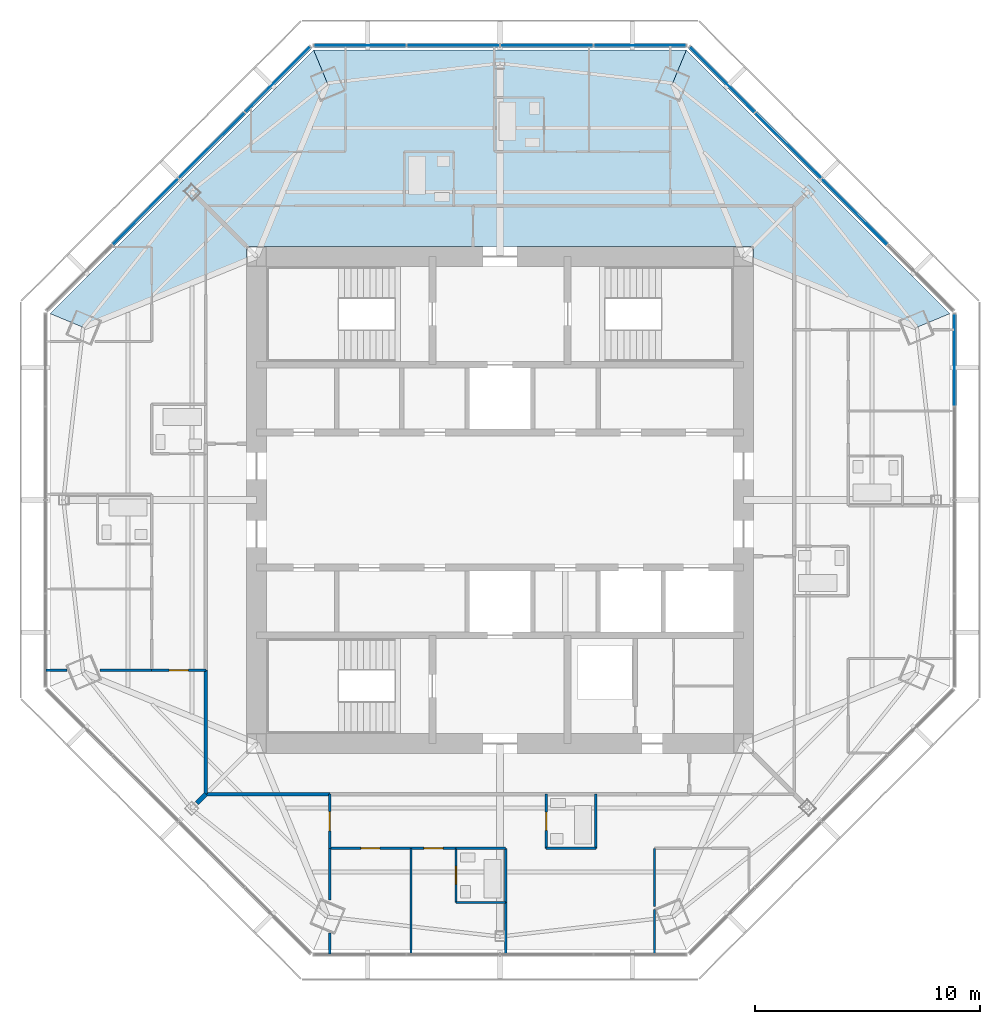
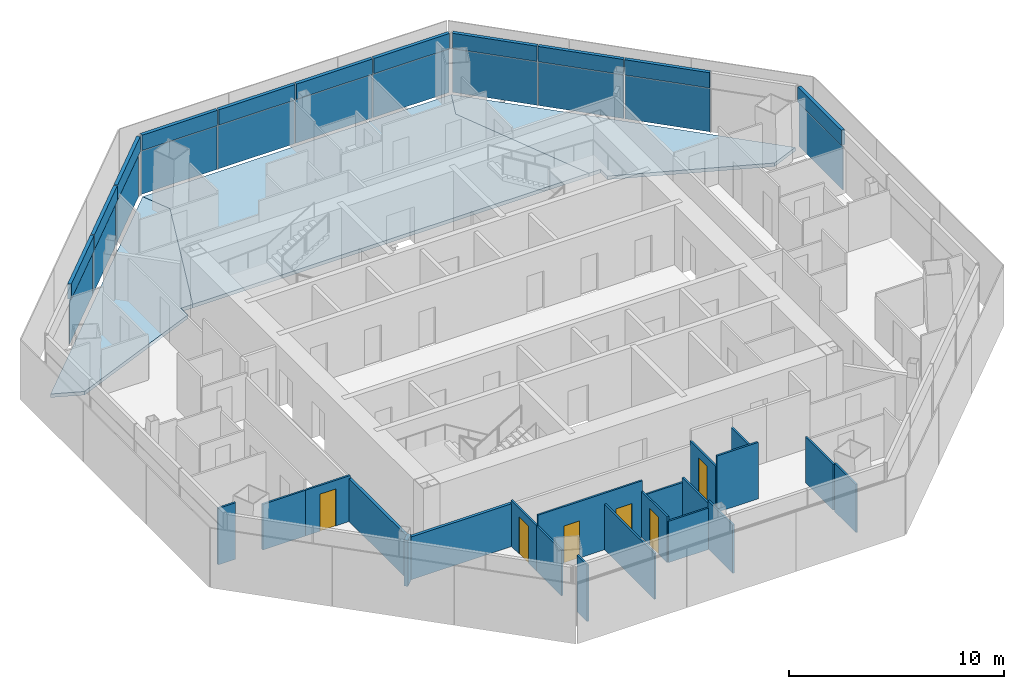
# One storey, part 9 of 15: 22 plates, 21 walls, 6 doors, 3 slabs, 6 openings, 4 elements without a shape of their own.
"""IFC4 building model written with IfcOpenShell, lengths in metres."""

from ifc_helpers import new_model, si_unit, direction, frame, frame_2d, origin, origin_2d, place, context, subcontext, project, spatial, polyline, rectangle, outline, extrude, source, transform, mapped, material, layer, layer_set, type_object, type_shapes, element, fill, aggregate, save


model = new_model("IFC4")

# Units and contexts
model_context = context("Model", 3, precision=1e-05, world=origin(), true_north=direction((0.0, 1.0)))
body_context = subcontext(model_context, "Body", "Model", "MODEL_VIEW")
ifc_project = project(units=[si_unit("LENGTHUNIT", "METRE"), si_unit("AREAUNIT", "SQUARE_METRE"), si_unit("VOLUMEUNIT", "CUBIC_METRE"), si_unit("PLANEANGLEUNIT", "RADIAN"), si_unit("MASSUNIT", "GRAM", prefix="KILO")], contexts=[model_context])

# Site, building, storey
site_placement = place(None, origin())
site = spatial("IfcSite", under=ifc_project, at=site_placement, CompositionType="ELEMENT")
building_placement = place(site_placement, origin())
building = spatial("IfcBuilding", under=site, at=building_placement, Name="Mashrafa Tower", CompositionType="ELEMENT")
storey_placement = place(building_placement, frame((0.0, 0.0, 277.60009765625)))
storey = spatial("IfcBuildingStorey", under=building, at=storey_placement, Name="L67", CompositionType="ELEMENT", Elevation=277.60009765625)

# Slabs
ifc_material_1 = material(Name="Concrete C35/45", Category="concrete")
ifc_layer_1 = layer(ifc_material_1, 0.199951171875)
ifc_layer_set_1 = layer_set([ifc_layer_1], Name="Floor slab 200")
slab_type = type_object("IfcSlabType", Name="Floor slab 200", PredefinedType="FLOOR", material=ifc_layer_set_1)
slab_1_placement = place(storey_placement, frame((0.0, 0.0, -0.2001953125)))
element("IfcSlab", 1, at=slab_1_placement, inside=storey, type_object=slab_type, Name="Floor slab L67 north-east bay", PredefinedType="FLOOR", context=body_context, shape_type="SweptSolid", body=[
    extrude(outline(polyline([(8.2685546875, 19.9619140625), (19.9619140625, 8.2685546875), (19.9619140625, 8.268310546875), (18.4892578125, 7.658447265625), (11.25, 10.6162109375), (11.25, 11.25), (10.6162109375, 11.25), (7.658447265625, 18.4892578125), (8.268310546875, 19.9619140625), (8.2685546875, 19.9619140625)])), origin(), (0.0, 0.0, 1.0), 0.2001953125),
])
slab_2_placement = place(storey_placement, frame((0.0, 0.0, -0.2001953125)))
element("IfcSlab", 2, at=slab_2_placement, inside=storey, type_object=slab_type, Name="Floor slab L67 north bay", PredefinedType="FLOOR", context=body_context, shape_type="SweptSolid", body=[
    extrude(outline(polyline([(8.268310546875, 19.9619140625), (7.658447265625, 18.4892578125), (10.6162109375, 11.25), (-10.6162109375, 11.25), (-7.658447265625, 18.4892578125), (-8.268310546875, 19.9619140625), (8.268310546875, 19.9619140625)])), origin(), (0.0, 0.0, 1.0), 0.2001953125),
])
slab_3_placement = place(storey_placement, frame((0.0, 0.0, -0.2001953125)))
element("IfcSlab", 3, at=slab_3_placement, inside=storey, type_object=slab_type, Name="Floor slab L67 north-west bay", PredefinedType="FLOOR", context=body_context, shape_type="SweptSolid", body=[
    extrude(outline(polyline([(-19.9619140625, 8.2685546875), (-8.2685546875, 19.9619140625), (-8.268310546875, 19.9619140625), (-7.658447265625, 18.4892578125), (-10.6162109375, 11.25), (-11.25, 11.25), (-11.25, 10.6162109375), (-18.4892578125, 7.658447265625), (-19.9619140625, 8.268310546875), (-19.9619140625, 8.2685546875)])), origin(), (0.0, 0.0, 1.0), 0.2001953125),
])

# Curtain wall, plate
ifc_material_2 = material(Name="Unitised aluminium curtain wall", Category="aluminium")
curtain_wall_type = type_object("IfcCurtainWallType", Name="Apartment curtain wall, zone 4 CW-D 160 deep", PredefinedType="NOTDEFINED", material=ifc_material_2)
curtain_wall_1_placement = place(storey_placement, origin())
curtain_wall_1 = element("IfcCurtainWall", 4, at=curtain_wall_1_placement, inside=storey, type_object=curtain_wall_type, Name="Apartment curtain wall, zone 4 L67 east", PredefinedType="NOTDEFINED")
ifc_material_3 = material(Name="Insulated double glazing, acoustic", Category="glass")
ifc_layer_2 = layer(ifc_material_3, 0.028076171875)
ifc_layer_set_2 = layer_set([ifc_layer_2], Name="Vision panel CW-D 28")
plate_type_1 = type_object("IfcPlateType", Name="Vision panel CW-D 28", PredefinedType="CURTAIN_PANEL", material=ifc_layer_set_2)
shared_shape_1 = source(origin(), body_context, "Body", "SweptSolid", [
    extrude(rectangle(XDim=4.06396484375, YDim=0.028076171875, at=origin_2d()), origin(), (0.0, 0.0, 1.0), 2.46240234375),
])
plate_1_placement = place(storey_placement, frame((20.161865234375, 6.216064453125, 0.0), z_axis=(0.0, 0.0, 1.0), x_axis=(0.0, 1.0, 0.0)))
plate_1 = element("IfcPlate", 5, at=plate_1_placement, type_object=plate_type_1, Name="CW-D vision panel 4", PredefinedType="CURTAIN_PANEL", context=body_context, shape_type="MappedRepresentation", body=[
    mapped(shared_shape_1, transform((0.0, 0.0, 0.0))),
])

curtain_wall_2_placement = place(storey_placement, origin())
curtain_wall_2 = element("IfcCurtainWall", 6, at=curtain_wall_2_placement, inside=storey, type_object=curtain_wall_type, Name="Apartment curtain wall, zone 4 L67 north-east", PredefinedType="NOTDEFINED")
plate_2_placement = place(storey_placement, frame((9.861083984375, 18.652099609375, 0.0), z_axis=(0.0, 0.0, 1.0), x_axis=(-0.707106781187, 0.707106781187, 0.0)))
plate_2 = element("IfcPlate", 7, at=plate_2_placement, type_object=plate_type_1, Name="CW-D vision panel 4", PredefinedType="CURTAIN_PANEL", context=body_context, shape_type="MappedRepresentation", body=[
    mapped(shared_shape_1, transform((0.0, 0.0, 0.0))),
])

# Curtain wall, plates
curtain_wall_3_placement = place(storey_placement, origin())
curtain_wall_3 = element("IfcCurtainWall", 8, at=curtain_wall_3_placement, inside=storey, type_object=curtain_wall_type, Name="Apartment curtain wall, zone 4 L67 north", PredefinedType="NOTDEFINED")
plate_3_placement = place(storey_placement, frame((6.216064453125, 20.161865234375, 0.0), z_axis=(0.0, 0.0, 1.0), x_axis=(-1.0, 0.0, 0.0)))
plate_3 = element("IfcPlate", 9, at=plate_3_placement, type_object=plate_type_1, Name="CW-D vision panel 1", PredefinedType="CURTAIN_PANEL", context=body_context, shape_type="MappedRepresentation", body=[
    mapped(shared_shape_1, transform((0.0, 0.0, 0.0))),
])
plate_4_placement = place(storey_placement, frame((-6.216064453125, 20.161865234375, 0.0), z_axis=(0.0, 0.0, 1.0), x_axis=(-1.0, 0.0, 0.0)))
plate_4 = element("IfcPlate", 10, at=plate_4_placement, type_object=plate_type_1, Name="CW-D vision panel 4", PredefinedType="CURTAIN_PANEL", context=body_context, shape_type="MappedRepresentation", body=[
    mapped(shared_shape_1, transform((0.0, 0.0, 0.0))),
])

# Curtain wall, plate
curtain_wall_4_placement = place(storey_placement, origin())
curtain_wall_4 = element("IfcCurtainWall", 11, at=curtain_wall_4_placement, inside=storey, type_object=curtain_wall_type, Name="Apartment curtain wall, zone 4 L67 north-west", PredefinedType="NOTDEFINED")
plate_5_placement = place(storey_placement, frame((-9.861083984375, 18.652099609375, 0.0), z_axis=(0.0, 0.0, 1.0), x_axis=(-0.707106781187, -0.707106781187, 0.0)))
plate_5 = element("IfcPlate", 12, at=plate_5_placement, type_object=plate_type_1, Name="CW-D vision panel 1", PredefinedType="CURTAIN_PANEL", context=body_context, shape_type="MappedRepresentation", body=[
    mapped(shared_shape_1, transform((0.0, 0.0, 0.0))),
])

# Plate
ifc_material_4 = material(Name="Insulated bronze aluminium spandrel panel", Category="aluminium")
ifc_layer_3 = layer(ifc_material_4, 0.179931640625)
ifc_layer_set_3 = layer_set([ifc_layer_3], Name="Spandrel panel CW-D 180")
plate_type_2 = type_object("IfcPlateType", Name="Spandrel panel CW-D 180", PredefinedType="CURTAIN_PANEL", material=ifc_layer_set_3)
shared_shape_2 = source(origin(), body_context, "Body", "SweptSolid", [
    extrude(rectangle(XDim=4.06396484375, YDim=0.179931640625, at=origin_2d()), origin(), (0.0, 0.0, 1.0), 0.862548828125),
])
plate_6_placement = place(storey_placement, frame((20.161865234375, 6.216064453125, 2.53759765625), z_axis=(0.0, 0.0, 1.0), x_axis=(0.0, 1.0, 0.0)))
plate_6 = element("IfcPlate", 13, at=plate_6_placement, type_object=plate_type_2, Name="CW-D spandrel panel 4", PredefinedType="CURTAIN_PANEL", context=body_context, shape_type="MappedRepresentation", body=[
    mapped(shared_shape_2, transform((0.0, 0.0, 0.0))),
])

aggregate(curtain_wall_1, [plate_1, plate_6])

plate_7_placement = place(storey_placement, frame((9.861083984375, 18.652099609375, 2.53759765625), z_axis=(0.0, 0.0, 1.0), x_axis=(-0.707106781187, 0.707106781187, 0.0)))
plate_7 = element("IfcPlate", 14, at=plate_7_placement, type_object=plate_type_2, Name="CW-D spandrel panel 4", PredefinedType="CURTAIN_PANEL", context=body_context, shape_type="MappedRepresentation", body=[
    mapped(shared_shape_2, transform((0.0, 0.0, 0.0))),
])

plate_8_placement = place(storey_placement, frame((6.216064453125, 20.161865234375, 2.53759765625), z_axis=(0.0, 0.0, 1.0), x_axis=(-1.0, 0.0, 0.0)))
plate_8 = element("IfcPlate", 15, at=plate_8_placement, type_object=plate_type_2, Name="CW-D spandrel panel 1", PredefinedType="CURTAIN_PANEL", context=body_context, shape_type="MappedRepresentation", body=[
    mapped(shared_shape_2, transform((0.0, 0.0, 0.0))),
])

plate_9_placement = place(storey_placement, frame((-6.216064453125, 20.161865234375, 2.53759765625), z_axis=(0.0, 0.0, 1.0), x_axis=(-1.0, 0.0, 0.0)))
plate_9 = element("IfcPlate", 16, at=plate_9_placement, type_object=plate_type_2, Name="CW-D spandrel panel 4", PredefinedType="CURTAIN_PANEL", context=body_context, shape_type="MappedRepresentation", body=[
    mapped(shared_shape_2, transform((0.0, 0.0, 0.0))),
])

plate_10_placement = place(storey_placement, frame((-9.861083984375, 18.652099609375, 2.53759765625), z_axis=(0.0, 0.0, 1.0), x_axis=(-0.707106781187, -0.707106781187, 0.0)))
plate_10 = element("IfcPlate", 17, at=plate_10_placement, type_object=plate_type_2, Name="CW-D spandrel panel 1", PredefinedType="CURTAIN_PANEL", context=body_context, shape_type="MappedRepresentation", body=[
    mapped(shared_shape_2, transform((0.0, 0.0, 0.0))),
])

shared_shape_3 = source(origin(), body_context, "Body", "SweptSolid", [
    extrude(rectangle(XDim=4.093994140625, YDim=0.028076171875, at=origin_2d()), origin(), (0.0, 0.0, 1.0), 2.46240234375),
])
type_shapes(plate_type_1, [shared_shape_1, shared_shape_3])
plate_11_placement = place(storey_placement, frame((15.725341796875, 12.787841796875, 0.0), z_axis=(0.0, 0.0, 1.0), x_axis=(-0.707106781187, 0.707106781187, 0.0)))
plate_11 = element("IfcPlate", 18, at=plate_11_placement, type_object=plate_type_1, Name="CW-D vision panel 2", PredefinedType="CURTAIN_PANEL", context=body_context, shape_type="MappedRepresentation", body=[
    mapped(shared_shape_3, transform((0.0, 0.0, 0.0))),
])

plate_12_placement = place(storey_placement, frame((12.787841796875, 15.725341796875, 0.0), z_axis=(0.0, 0.0, 1.0), x_axis=(-0.707106781187, 0.707106781187, 0.0)))
plate_12 = element("IfcPlate", 19, at=plate_12_placement, type_object=plate_type_1, Name="CW-D vision panel 3", PredefinedType="CURTAIN_PANEL", context=body_context, shape_type="MappedRepresentation", body=[
    mapped(shared_shape_3, transform((0.0, 0.0, 0.0))),
])

plate_13_placement = place(storey_placement, frame((2.0771484375, 20.161865234375, 0.0), z_axis=(0.0, 0.0, 1.0), x_axis=(-1.0, 0.0, 0.0)))
plate_13 = element("IfcPlate", 20, at=plate_13_placement, type_object=plate_type_1, Name="CW-D vision panel 2", PredefinedType="CURTAIN_PANEL", context=body_context, shape_type="MappedRepresentation", body=[
    mapped(shared_shape_3, transform((0.0, 0.0, 0.0))),
])

plate_14_placement = place(storey_placement, frame((-2.0771484375, 20.161865234375, 0.0), z_axis=(0.0, 0.0, 1.0), x_axis=(-1.0, 0.0, 0.0)))
plate_14 = element("IfcPlate", 21, at=plate_14_placement, type_object=plate_type_1, Name="CW-D vision panel 3", PredefinedType="CURTAIN_PANEL", context=body_context, shape_type="MappedRepresentation", body=[
    mapped(shared_shape_3, transform((0.0, 0.0, 0.0))),
])

plate_15_placement = place(storey_placement, frame((-12.787841796875, 15.725341796875, 0.0), z_axis=(0.0, 0.0, 1.0), x_axis=(-0.707106781187, -0.707106781187, 0.0)))
plate_15 = element("IfcPlate", 22, at=plate_15_placement, type_object=plate_type_1, Name="CW-D vision panel 2", PredefinedType="CURTAIN_PANEL", context=body_context, shape_type="MappedRepresentation", body=[
    mapped(shared_shape_3, transform((0.0, 0.0, 0.0))),
])

plate_16_placement = place(storey_placement, frame((-15.725341796875, 12.787841796875, 0.0), z_axis=(0.0, 0.0, 1.0), x_axis=(-0.707106781187, -0.707106781187, 0.0)))
plate_16 = element("IfcPlate", 23, at=plate_16_placement, type_object=plate_type_1, Name="CW-D vision panel 3", PredefinedType="CURTAIN_PANEL", context=body_context, shape_type="MappedRepresentation", body=[
    mapped(shared_shape_3, transform((0.0, 0.0, 0.0))),
])

shared_shape_4 = source(origin(), body_context, "Body", "SweptSolid", [
    extrude(rectangle(XDim=4.093994140625, YDim=0.179931640625, at=origin_2d()), origin(), (0.0, 0.0, 1.0), 0.862548828125),
])
type_shapes(plate_type_2, [shared_shape_2, shared_shape_4])
plate_17_placement = place(storey_placement, frame((15.725341796875, 12.787841796875, 2.53759765625), z_axis=(0.0, 0.0, 1.0), x_axis=(-0.707106781187, 0.707106781187, 0.0)))
plate_17 = element("IfcPlate", 24, at=plate_17_placement, type_object=plate_type_2, Name="CW-D spandrel panel 2", PredefinedType="CURTAIN_PANEL", context=body_context, shape_type="MappedRepresentation", body=[
    mapped(shared_shape_4, transform((0.0, 0.0, 0.0))),
])

plate_18_placement = place(storey_placement, frame((12.787841796875, 15.725341796875, 2.53759765625), z_axis=(0.0, 0.0, 1.0), x_axis=(-0.707106781187, 0.707106781187, 0.0)))
plate_18 = element("IfcPlate", 25, at=plate_18_placement, type_object=plate_type_2, Name="CW-D spandrel panel 3", PredefinedType="CURTAIN_PANEL", context=body_context, shape_type="MappedRepresentation", body=[
    mapped(shared_shape_4, transform((0.0, 0.0, 0.0))),
])

aggregate(curtain_wall_2, [plate_11, plate_17, plate_12, plate_18, plate_2, plate_7])

plate_19_placement = place(storey_placement, frame((2.0771484375, 20.161865234375, 2.53759765625), z_axis=(0.0, 0.0, 1.0), x_axis=(-1.0, 0.0, 0.0)))
plate_19 = element("IfcPlate", 26, at=plate_19_placement, type_object=plate_type_2, Name="CW-D spandrel panel 2", PredefinedType="CURTAIN_PANEL", context=body_context, shape_type="MappedRepresentation", body=[
    mapped(shared_shape_4, transform((0.0, 0.0, 0.0))),
])

plate_20_placement = place(storey_placement, frame((-2.0771484375, 20.161865234375, 2.53759765625), z_axis=(0.0, 0.0, 1.0), x_axis=(-1.0, 0.0, 0.0)))
plate_20 = element("IfcPlate", 27, at=plate_20_placement, type_object=plate_type_2, Name="CW-D spandrel panel 3", PredefinedType="CURTAIN_PANEL", context=body_context, shape_type="MappedRepresentation", body=[
    mapped(shared_shape_4, transform((0.0, 0.0, 0.0))),
])

aggregate(curtain_wall_3, [plate_3, plate_8, plate_13, plate_19, plate_14, plate_20, plate_4, plate_9])

plate_21_placement = place(storey_placement, frame((-12.787841796875, 15.725341796875, 2.53759765625), z_axis=(0.0, 0.0, 1.0), x_axis=(-0.707106781187, -0.707106781187, 0.0)))
plate_21 = element("IfcPlate", 28, at=plate_21_placement, type_object=plate_type_2, Name="CW-D spandrel panel 2", PredefinedType="CURTAIN_PANEL", context=body_context, shape_type="MappedRepresentation", body=[
    mapped(shared_shape_4, transform((0.0, 0.0, 0.0))),
])

plate_22_placement = place(storey_placement, frame((-15.725341796875, 12.787841796875, 2.53759765625), z_axis=(0.0, 0.0, 1.0), x_axis=(-0.707106781187, -0.707106781187, 0.0)))
plate_22 = element("IfcPlate", 29, at=plate_22_placement, type_object=plate_type_2, Name="CW-D spandrel panel 3", PredefinedType="CURTAIN_PANEL", context=body_context, shape_type="MappedRepresentation", body=[
    mapped(shared_shape_4, transform((0.0, 0.0, 0.0))),
])

aggregate(curtain_wall_4, [plate_5, plate_10, plate_15, plate_21, plate_16, plate_22])

# Walls
ifc_material_5 = material(Name="Gypsum board on steel studs", Category="steel")
ifc_layer_4 = layer(ifc_material_5, 0.199951171875)
ifc_layer_set_4 = layer_set([ifc_layer_4], Name="Acoustic partition 200 1 hr")
wall_type_1 = type_object("IfcWallType", Name="Acoustic partition 200 1 hr", PredefinedType="PARTITIONING", material=ifc_layer_set_4)
wall_1_placement = place(storey_placement, frame((-13.4501953125, -13.4501953125, 0.0), z_axis=(0.0, 0.0, 1.0), x_axis=(0.707106781187, 0.707106781187, 0.0)))
element("IfcWall", 30, at=wall_1_placement, inside=storey, type_object=wall_type_1, Name="Acoustic wall L67-088", PredefinedType="PARTITIONING", context=body_context, shape_type="SweptSolid", body=[
    extrude(rectangle(XDim=0.56591796875, YDim=0.199951171875, at=frame_2d((0.282958984375, 0.0))), origin(), (0.0, 0.0, 1.0), 2.590576171875),
])
ifc_material_6 = material(Name="Gypsum board on steel studs", Category="steel")
ifc_layer_5 = layer(ifc_material_6, 0.14990234375)
ifc_layer_set_5 = layer_set([ifc_layer_5], Name="Corridor partition 150 1 hr")
wall_type_2 = type_object("IfcWallType", Name="Corridor partition 150 1 hr", PredefinedType="PARTITIONING", material=ifc_layer_set_5)
for number, where, z_axis, x_axis, name in (
    (31, (-13.050048828125, -7.549072265625, 0.0), (0.0, 0.0, 1.0), (0.0, -1.0, 0.0), "Corridor wall L67-009"),
    (32, (-13.050048828125, -13.050048828125, 0.0), (0.0, 0.0, 1.0), (1.0, 0.0, 0.0), "Corridor wall L67-013"),
):
    element("IfcWall", number, at=place(storey_placement, frame(where, z_axis=z_axis, x_axis=x_axis)), inside=storey, type_object=wall_type_2, Name=name, PredefinedType="PARTITIONING", context=body_context, shape_type="SweptSolid", body=[
        extrude(rectangle(XDim=5.5009765625, YDim=0.14990234375, at=frame_2d((2.75048828125, 0.0))), origin(), (0.0, 0.0, 1.0), 2.427978515625),
    ])
ifc_material_7 = material(Name="Gypsum board on steel studs", Category="steel")
ifc_layer_6 = layer(ifc_material_7, 0.10009765625)
ifc_layer_set_6 = layer_set([ifc_layer_6], Name="Partition 100")
wall_type_3 = type_object("IfcWallType", Name="Partition 100", PredefinedType="PARTITIONING", material=ifc_layer_set_6)
wall_2_placement = place(storey_placement, frame((6.85009765625, -15.449951171875, 0.0), z_axis=(0.0, 0.0, 1.0), x_axis=(0.0, -1.0, 0.0)))
element("IfcWall", 33, at=wall_2_placement, inside=storey, type_object=wall_type_3, Name="Partition wall L67-032", PredefinedType="PARTITIONING", context=body_context, shape_type="SweptSolid", body=[
    extrude(rectangle(XDim=2.58447265625, YDim=0.10009765625, at=frame_2d((1.292236328125, 0.0))), origin(), (0.0, 0.0, 1.0), 2.590576171875),
])
wall_3_placement = place(storey_placement, frame((6.85009765625, -18.15478515625, 0.0), z_axis=(0.0, 0.0, 1.0), x_axis=(0.0, -1.0, 0.0)))
element("IfcWall", 34, at=wall_3_placement, inside=storey, type_object=wall_type_3, Name="Partition wall L67-033", PredefinedType="PARTITIONING", context=body_context, shape_type="SweptSolid", body=[
    extrude(rectangle(XDim=1.989013671875, YDim=0.10009765625, at=frame_2d((0.99462890625, 0.0))), origin(), (0.0, 0.0, 1.0), 2.740234375),
])
wall_4_placement = place(storey_placement, frame((-20.143798828125, -7.550048828125, 0.0), z_axis=(0.0, 0.0, 1.0), x_axis=(1.0, 0.0, 0.0)))
element("IfcWall", 35, at=wall_4_placement, inside=storey, type_object=wall_type_3, Name="Partition wall L67-084", PredefinedType="PARTITIONING", context=body_context, shape_type="SweptSolid", body=[
    extrude(rectangle(XDim=0.94580078125, YDim=0.10009765625, at=frame_2d((0.472900390625, 0.0))), origin(), (0.0, 0.0, 1.0), 3.199951171875),
])
wall_5_placement = place(storey_placement, frame((-17.74462890625, -7.550048828125, 0.0), z_axis=(0.0, 0.0, 1.0), x_axis=(1.0, 0.0, 0.0)))
element("IfcWall", 36, at=wall_5_placement, inside=storey, type_object=wall_type_3, Name="Partition wall L67-085", PredefinedType="PARTITIONING", context=body_context, shape_type="SweptSolid", body=[
    extrude(rectangle(XDim=2.294677734375, YDim=0.10009765625, at=frame_2d((1.1474609375, 0.0))), origin(), (0.0, 0.0, 1.0), 2.590576171875),
])

# Wall, opening, door
wall_6_placement = place(storey_placement, frame((-13.050048828125, -7.550048828125, 0.0), z_axis=(0.0, 0.0, 1.0), x_axis=(-1.0, 0.0, 0.0)))
wall_6 = element("IfcWall", 37, at=wall_6_placement, inside=storey, type_object=wall_type_3, Name="Partition wall L67-087", PredefinedType="PARTITIONING", context=body_context, shape_type="SweptSolid", body=[
    extrude(rectangle(XDim=2.40087890625, YDim=0.10009765625, at=frame_2d((1.200439453125, 0.0))), origin(), (0.0, 0.0, 1.0), 2.590576171875),
])
opening_1_placement = place(wall_6_placement, frame((0.775390625, 0.0, 0.0)))
opening_1 = element("IfcOpeningElement", 38, at=opening_1_placement, cuts=wall_6, Name="Opening 67.021", PredefinedType="OPENING", context=body_context, shape_type="SweptSolid", body=[
    extrude(rectangle(XDim=0.85009765625, YDim=2.10009765625, at=frame_2d((0.425048828125, 1.050048828125))), frame((0.0, 0.06005859375, 0.0), z_axis=(0.0, -1.0, 0.0), x_axis=(1.0, 0.0, 0.0)), (0.0, 0.0, 1.0), 0.1201171875),
])
ifc_material_8 = material(Name="Timber door", Category="wood")
door_type_1 = type_object("IfcDoorType", Name="Bedroom door 850 x 2100", OperationType="USERDEFINED", PredefinedType="DOOR", material=ifc_material_8)
door_1_placement = place(opening_1_placement, origin())
door_1 = element("IfcDoor", 39, at=door_1_placement, inside=storey, type_object=door_type_1, Name="Apartment 6703 Bedroom 3 door", OperationType="SINGLE_SWING_LEFT", OverallHeight=2.10009765625, OverallWidth=0.85009765625, PredefinedType="DOOR", context=body_context, shape_type="SweptSolid", body=[
    extrude(rectangle(XDim=0.85009765625, YDim=2.10009765625, at=frame_2d((0.425048828125, 1.050048828125))), frame((0.0, 0.02490234375, 0.0), z_axis=(0.0, -1.0, 0.0), x_axis=(1.0, 0.0, 0.0)), (0.0, 0.0, 1.0), 0.050048828125),
])
fill(opening_1, door_1)

# Wall
wall_7_placement = place(storey_placement, frame((4.25, -13.050048828125, 0.0), z_axis=(0.0, 0.0, 1.0), x_axis=(0.0, -1.0, 0.0)))
element("IfcWall", 40, at=wall_7_placement, inside=storey, type_object=wall_type_3, Name="Partition wall L67-090", PredefinedType="PARTITIONING", context=body_context, shape_type="SweptSolid", body=[
    extrude(rectangle(XDim=2.39990234375, YDim=0.10009765625, at=frame_2d((1.199951171875, 0.0))), origin(), (0.0, 0.0, 1.0), 2.590576171875),
])

# Wall, opening, door
wall_8_placement = place(storey_placement, frame((2.050048828125, -13.050048828125, 0.0), z_axis=(0.0, 0.0, 1.0), x_axis=(0.0, -1.0, 0.0)))
wall_8 = element("IfcWall", 41, at=wall_8_placement, inside=storey, type_object=wall_type_3, Name="Partition wall L67-091", PredefinedType="PARTITIONING", context=body_context, shape_type="SweptSolid", body=[
    extrude(rectangle(XDim=2.39990234375, YDim=0.10009765625, at=frame_2d((1.199951171875, 0.0))), origin(), (0.0, 0.0, 1.0), 2.590576171875),
])
opening_2_placement = place(wall_8_placement, frame((0.800048828125, 0.0, 0.0)))
opening_2 = element("IfcOpeningElement", 42, at=opening_2_placement, cuts=wall_8, Name="Opening 67.023", PredefinedType="OPENING", context=body_context, shape_type="SweptSolid", body=[
    extrude(rectangle(XDim=0.800048828125, YDim=2.10009765625, at=frame_2d((0.39990234375, 1.050048828125))), frame((0.0, 0.06005859375, 0.0), z_axis=(0.0, -1.0, 0.0), x_axis=(1.0, 0.0, 0.0)), (0.0, 0.0, 1.0), 0.1201171875),
])
ifc_material_9 = material(Name="Timber door", Category="wood")
door_type_2 = type_object("IfcDoorType", Name="Bathroom door 800 x 2100", OperationType="USERDEFINED", PredefinedType="DOOR", material=ifc_material_9)
door_2_placement = place(opening_2_placement, origin())
door_2 = element("IfcDoor", 43, at=door_2_placement, inside=storey, type_object=door_type_2, Name="Apartment 6704 Bathroom door", OperationType="SINGLE_SWING_RIGHT", OverallHeight=2.10009765625, OverallWidth=0.800048828125, PredefinedType="DOOR", context=body_context, shape_type="SweptSolid", body=[
    extrude(rectangle(XDim=0.800048828125, YDim=2.10009765625, at=frame_2d((0.39990234375, 1.050048828125))), frame((0.0, 0.02490234375, 0.0), z_axis=(0.0, -1.0, 0.0), x_axis=(1.0, 0.0, 0.0)), (0.0, 0.0, 1.0), 0.050048828125),
])
fill(opening_2, door_2)

# Wall
wall_9_placement = place(storey_placement, frame((2.050048828125, -15.449951171875, 0.0), z_axis=(0.0, 0.0, 1.0), x_axis=(1.0, 0.0, 0.0)))
element("IfcWall", 44, at=wall_9_placement, inside=storey, type_object=wall_type_3, Name="Partition wall L67-092", PredefinedType="PARTITIONING", context=body_context, shape_type="SweptSolid", body=[
    extrude(rectangle(XDim=2.199951171875, YDim=0.10009765625, at=frame_2d((1.10009765625, 0.0))), origin(), (0.0, 0.0, 1.0), 3.199951171875),
])

# Wall, opening, door
wall_10_placement = place(storey_placement, frame((-1.949951171875, -15.449951171875, 0.0), z_axis=(0.0, 0.0, 1.0), x_axis=(0.0, -1.0, 0.0)))
wall_10 = element("IfcWall", 45, at=wall_10_placement, inside=storey, type_object=wall_type_3, Name="Partition wall L67-093", PredefinedType="PARTITIONING", context=body_context, shape_type="SweptSolid", body=[
    extrude(rectangle(XDim=2.400146484375, YDim=0.10009765625, at=frame_2d((1.2001953125, 0.0))), origin(), (0.0, 0.0, 1.0), 2.590576171875),
])
opening_3_placement = place(wall_10_placement, frame((0.800048828125, 0.0, 0.0)))
opening_3 = element("IfcOpeningElement", 46, at=opening_3_placement, cuts=wall_10, Name="Opening 67.024", PredefinedType="OPENING", context=body_context, shape_type="SweptSolid", body=[
    extrude(rectangle(XDim=0.800048828125, YDim=2.10009765625, at=frame_2d((0.39990234375, 1.050048828125))), frame((0.0, 0.06005859375, 0.0), z_axis=(0.0, -1.0, 0.0), x_axis=(1.0, 0.0, 0.0)), (0.0, 0.0, 1.0), 0.1201171875),
])
door_3_placement = place(opening_3_placement, origin())
door_3 = element("IfcDoor", 47, at=door_3_placement, inside=storey, type_object=door_type_2, Name="Apartment 6704 En-suite Bathroom door", OperationType="SINGLE_SWING_RIGHT", OverallHeight=2.10009765625, OverallWidth=0.800048828125, PredefinedType="DOOR", context=body_context, shape_type="SweptSolid", body=[
    extrude(rectangle(XDim=0.800048828125, YDim=2.10009765625, at=frame_2d((0.39990234375, 1.050048828125))), frame((0.0, 0.02490234375, 0.0), z_axis=(0.0, -1.0, 0.0), x_axis=(1.0, 0.0, 0.0)), (0.0, 0.0, 1.0), 0.050048828125),
])
fill(opening_3, door_3)

# Walls
wall_11_placement = place(storey_placement, frame((-1.949951171875, -17.85009765625, 0.0), z_axis=(0.0, 0.0, 1.0), x_axis=(1.0, 0.0, 0.0)))
element("IfcWall", 48, at=wall_11_placement, inside=storey, type_object=wall_type_3, Name="Partition wall L67-094", PredefinedType="PARTITIONING", context=body_context, shape_type="SweptSolid", body=[
    extrude(rectangle(XDim=2.199951171875, YDim=0.10009765625, at=frame_2d((1.10009765625, 0.0))), origin(), (0.0, 0.0, 1.0), 2.343994140625),
])
wall_12_placement = place(storey_placement, frame((0.25, -17.85009765625, 0.0), z_axis=(0.0, 0.0, 1.0), x_axis=(0.0, 1.0, 0.0)))
element("IfcWall", 49, at=wall_12_placement, inside=storey, type_object=wall_type_3, Name="Partition wall L67-095", PredefinedType="PARTITIONING", context=body_context, shape_type="SweptSolid", body=[
    extrude(rectangle(XDim=2.400146484375, YDim=0.10009765625, at=frame_2d((1.2001953125, 0.0))), origin(), (0.0, 0.0, 1.0), 2.590576171875),
])
wall_13_placement = place(storey_placement, frame((0.25, -15.449951171875, 0.0), z_axis=(0.0, 0.0, 1.0), x_axis=(-1.0, 0.0, 0.0)))
element("IfcWall", 50, at=wall_13_placement, inside=storey, type_object=wall_type_3, Name="Partition wall L67-096", PredefinedType="PARTITIONING", context=body_context, shape_type="SweptSolid", body=[
    extrude(rectangle(XDim=2.199951171875, YDim=0.10009765625, at=frame_2d((1.10009765625, 0.0))), origin(), (0.0, 0.0, 1.0), 2.343994140625),
])
wall_14_placement = place(storey_placement, frame((-3.949951171875, -15.449951171875, 0.0), z_axis=(0.0, 0.0, 1.0), x_axis=(0.0, -1.0, 0.0)))
element("IfcWall", 51, at=wall_14_placement, inside=storey, type_object=wall_type_3, Name="Partition wall L67-097", PredefinedType="PARTITIONING", context=body_context, shape_type="SweptSolid", body=[
    extrude(rectangle(XDim=4.69384765625, YDim=0.10009765625, at=frame_2d((2.346923828125, 0.0))), origin(), (0.0, 0.0, 1.0), 2.590576171875),
])

# Wall, openings, doors
wall_15_placement = place(storey_placement, frame((-1.949951171875, -15.449951171875, 0.0), z_axis=(0.0, 0.0, 1.0), x_axis=(-1.0, 0.0, 0.0)))
wall_15 = element("IfcWall", 52, at=wall_15_placement, inside=storey, type_object=wall_type_3, Name="Partition wall L67-098", PredefinedType="PARTITIONING", context=body_context, shape_type="SweptSolid", body=[
    extrude(rectangle(XDim=5.60009765625, YDim=0.10009765625, at=frame_2d((2.800048828125, 0.0))), origin(), (0.0, 0.0, 1.0), 3.199951171875),
])
opening_4_placement = place(wall_15_placement, frame((0.574951171875, 0.0, 0.0)))
opening_4 = element("IfcOpeningElement", 53, at=opening_4_placement, cuts=wall_15, Name="Opening 67.025", PredefinedType="OPENING", context=body_context, shape_type="SweptSolid", body=[
    extrude(rectangle(XDim=0.85009765625, YDim=2.10009765625, at=frame_2d((0.425048828125, 1.050048828125))), frame((0.0, 0.06005859375, 0.0), z_axis=(0.0, -1.0, 0.0), x_axis=(1.0, 0.0, 0.0)), (0.0, 0.0, 1.0), 0.1201171875),
])
opening_5_placement = place(wall_15_placement, frame((3.375, 0.0, 0.0)))
opening_5 = element("IfcOpeningElement", 54, at=opening_5_placement, cuts=wall_15, Name="Opening 67.026", PredefinedType="OPENING", context=body_context, shape_type="SweptSolid", body=[
    extrude(rectangle(XDim=0.85009765625, YDim=2.10009765625, at=frame_2d((0.425048828125, 1.050048828125))), frame((0.0, 0.06005859375, 0.0), z_axis=(0.0, -1.0, 0.0), x_axis=(1.0, 0.0, 0.0)), (0.0, 0.0, 1.0), 0.1201171875),
])
door_4_placement = place(opening_4_placement, origin())
door_4 = element("IfcDoor", 55, at=door_4_placement, inside=storey, type_object=door_type_1, Name="Apartment 6704 Bedroom 1 door", OperationType="SINGLE_SWING_RIGHT", OverallHeight=2.10009765625, OverallWidth=0.85009765625, PredefinedType="DOOR", context=body_context, shape_type="SweptSolid", body=[
    extrude(rectangle(XDim=0.85009765625, YDim=2.10009765625, at=frame_2d((0.425048828125, 1.050048828125))), frame((0.0, 0.02490234375, 0.0), z_axis=(0.0, -1.0, 0.0), x_axis=(1.0, 0.0, 0.0)), (0.0, 0.0, 1.0), 0.050048828125),
])
fill(opening_4, door_4)
door_5_placement = place(opening_5_placement, origin())
door_5 = element("IfcDoor", 56, at=door_5_placement, inside=storey, type_object=door_type_1, Name="Apartment 6704 Bedroom 2 door", OperationType="SINGLE_SWING_LEFT", OverallHeight=2.10009765625, OverallWidth=0.85009765625, PredefinedType="DOOR", context=body_context, shape_type="SweptSolid", body=[
    extrude(rectangle(XDim=0.85009765625, YDim=2.10009765625, at=frame_2d((0.425048828125, 1.050048828125))), frame((0.0, 0.02490234375, 0.0), z_axis=(0.0, -1.0, 0.0), x_axis=(1.0, 0.0, 0.0)), (0.0, 0.0, 1.0), 0.050048828125),
])
fill(opening_5, door_5)

# Walls
wall_16_placement = place(storey_placement, frame((0.25, -20.143798828125, 0.0), z_axis=(0.0, 0.0, 1.0), x_axis=(0.0, 1.0, 0.0)))
element("IfcWall", 57, at=wall_16_placement, inside=storey, type_object=wall_type_3, Name="Partition wall L67-099", PredefinedType="PARTITIONING", context=body_context, shape_type="SweptSolid", body=[
    extrude(rectangle(XDim=2.293701171875, YDim=0.10009765625, at=frame_2d((1.14697265625, 0.0))), origin(), (0.0, 0.0, 1.0), 2.740234375),
])
wall_17_placement = place(storey_placement, frame((-7.550048828125, -15.449951171875, 0.0), z_axis=(0.0, 0.0, 1.0), x_axis=(0.0, -1.0, 0.0)))
element("IfcWall", 58, at=wall_17_placement, inside=storey, type_object=wall_type_3, Name="Partition wall L67-100", PredefinedType="PARTITIONING", context=body_context, shape_type="SweptSolid", body=[
    extrude(rectangle(XDim=2.294677734375, YDim=0.10009765625, at=frame_2d((1.1474609375, 0.0))), origin(), (0.0, 0.0, 1.0), 2.590576171875),
])
wall_18_placement = place(storey_placement, frame((-7.550048828125, -19.197998046875, 0.0), z_axis=(0.0, 0.0, 1.0), x_axis=(0.0, -1.0, 0.0)))
element("IfcWall", 59, at=wall_18_placement, inside=storey, type_object=wall_type_3, Name="Partition wall L67-101", PredefinedType="PARTITIONING", context=body_context, shape_type="SweptSolid", body=[
    extrude(rectangle(XDim=0.94580078125, YDim=0.10009765625, at=frame_2d((0.472900390625, 0.0))), origin(), (0.0, 0.0, 1.0), 3.199951171875),
])

# Wall, opening, door
wall_19_placement = place(storey_placement, frame((-7.550048828125, -15.450927734375, 0.0), z_axis=(0.0, 0.0, 1.0), x_axis=(0.0, 1.0, 0.0)))
wall_19 = element("IfcWall", 60, at=wall_19_placement, inside=storey, type_object=wall_type_3, Name="Partition wall L67-103", PredefinedType="PARTITIONING", context=body_context, shape_type="SweptSolid", body=[
    extrude(rectangle(XDim=2.40087890625, YDim=0.10009765625, at=frame_2d((1.200439453125, 0.0))), origin(), (0.0, 0.0, 1.0), 2.590576171875),
])
opening_6_placement = place(wall_19_placement, frame((0.775390625, 0.0, 0.0)))
opening_6 = element("IfcOpeningElement", 61, at=opening_6_placement, cuts=wall_19, Name="Opening 67.027", PredefinedType="OPENING", context=body_context, shape_type="SweptSolid", body=[
    extrude(rectangle(XDim=0.85009765625, YDim=2.10009765625, at=frame_2d((0.425048828125, 1.050048828125))), frame((0.0, 0.06005859375, 0.0), z_axis=(0.0, -1.0, 0.0), x_axis=(1.0, 0.0, 0.0)), (0.0, 0.0, 1.0), 0.1201171875),
])
door_6_placement = place(opening_6_placement, origin())
door_6 = element("IfcDoor", 62, at=door_6_placement, inside=storey, type_object=door_type_1, Name="Apartment 6704 Bedroom 3 door", OperationType="SINGLE_SWING_RIGHT", OverallHeight=2.10009765625, OverallWidth=0.85009765625, PredefinedType="DOOR", context=body_context, shape_type="SweptSolid", body=[
    extrude(rectangle(XDim=0.85009765625, YDim=2.10009765625, at=frame_2d((0.425048828125, 1.050048828125))), frame((0.0, 0.02490234375, 0.0), z_axis=(0.0, -1.0, 0.0), x_axis=(1.0, 0.0, 0.0)), (0.0, 0.0, 1.0), 0.050048828125),
])
fill(opening_6, door_6)

save(model, "model.ifc")
